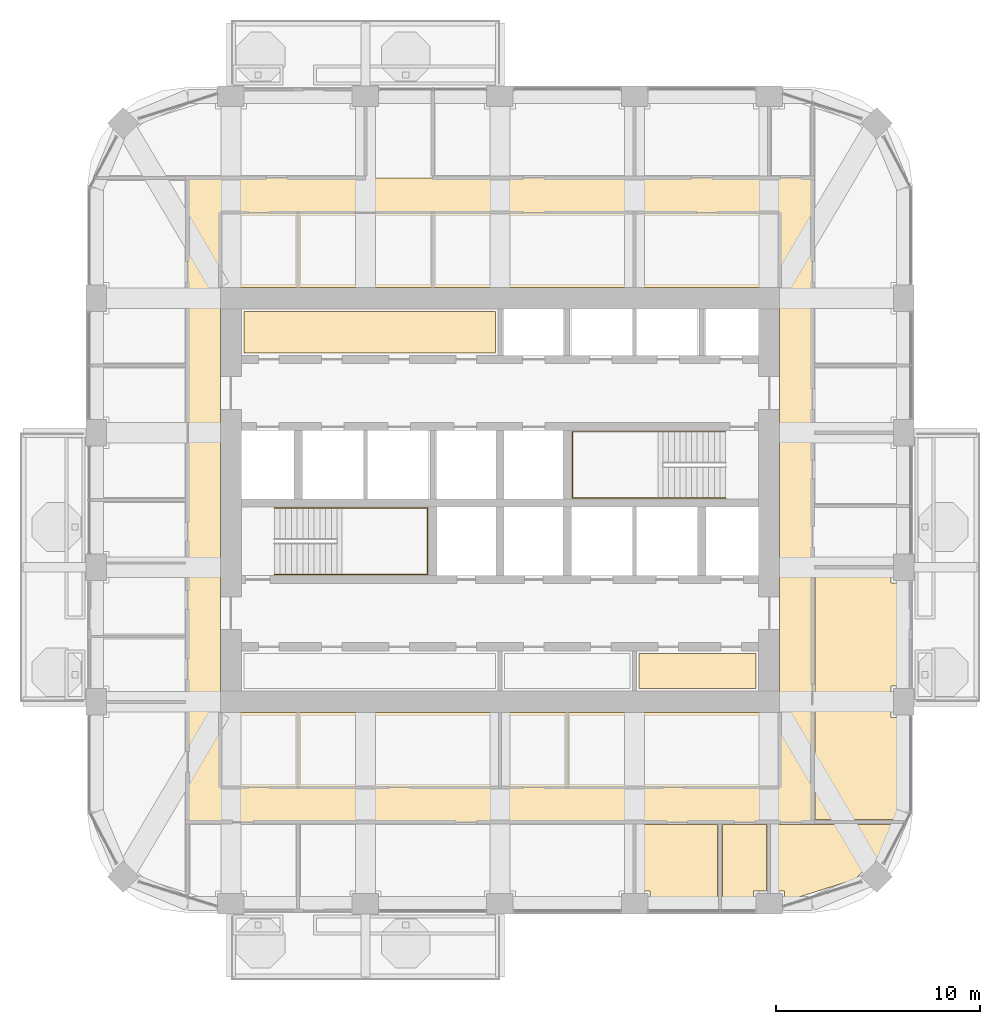
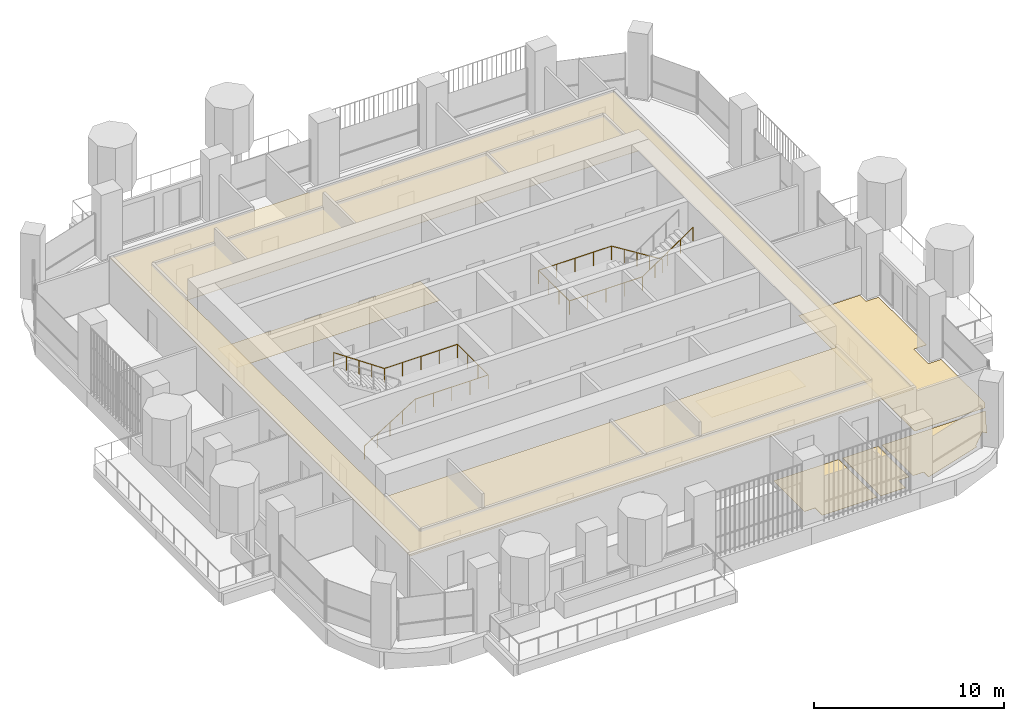
# One storey, part 17 of 19: 7 coverings, 2 railings.
"""IFC4 building model written with IfcOpenShell, lengths in metres."""

from ifc_helpers import new_model, si_unit, direction, frame, origin, place, context, subcontext, project, spatial, polyline, outline, extrude, material, layer, layer_set, type_object, element, save


model = new_model("IFC4")

# Units and contexts
model_context = context("Model", 3, precision=1e-05, world=origin(), true_north=direction((0.0, 1.0)))
body_context = subcontext(model_context, "Body", "Model", "MODEL_VIEW")
ifc_project = project(units=[si_unit("LENGTHUNIT", "METRE"), si_unit("AREAUNIT", "SQUARE_METRE"), si_unit("VOLUMEUNIT", "CUBIC_METRE"), si_unit("PLANEANGLEUNIT", "RADIAN"), si_unit("MASSUNIT", "GRAM", prefix="KILO")], contexts=[model_context])

# Site, building, storey
site_placement = place(None, origin())
site = spatial("IfcSite", under=ifc_project, at=site_placement, CompositionType="ELEMENT")
building_placement = place(site_placement, origin())
building = spatial("IfcBuilding", under=site, at=building_placement, Name="Cobogo Forest Laboratory Tower", CompositionType="ELEMENT")
storey_placement = place(building_placement, frame((0.0, 0.0, 237.60009765625)))
storey = spatial("IfcBuildingStorey", under=building, at=storey_placement, Name="L54", CompositionType="ELEMENT", Elevation=237.60009765625)

# Coverings
ifc_material_1 = material(Name="Mineral fibre ceiling tile", Category="ceiling")
ifc_layer_1 = layer(ifc_material_1, 0.02001953125)
ifc_layer_set_1 = layer_set([ifc_layer_1], Name="CL1 suspended ceiling")
covering_type_1 = type_object("IfcCoveringType", Name="CL1 suspended ceiling", PredefinedType="CEILING", material=ifc_layer_set_1)
covering_1_placement = place(storey_placement, frame((0.0, 0.0, 2.7998046875)))
element("IfcCovering", 1, at=covering_1_placement, inside=storey, type_object=covering_type_1, Name="Corridor ceiling L54", PredefinedType="CEILING", context=body_context, shape_type="SweptSolid", body=[
    extrude(outline(polyline([(11.074951171875, 7.300048828125), (11.074951171875, 38.89990234375), (41.72509765625, 38.89990234375), (41.72509765625, 7.300048828125), (11.074951171875, 7.300048828125)]), holes=[polyline([(40.125, 33.52490234375), (12.675048828125, 33.52490234375), (12.675048828125, 12.675048828125), (40.125, 12.675048828125), (40.125, 33.52490234375)])]), origin(), (0.0, 0.0, 1.0), 0.02001953125),
])
ifc_material_2 = material(Name="Carpet tile on raised access floor", Category="flooring")
ifc_layer_2 = layer(ifc_material_2, 0.008056640625)
ifc_layer_set_2 = layer_set([ifc_layer_2], Name="CT1 carpet tile floor 8")
covering_type_2 = type_object("IfcCoveringType", Name="CT1 carpet tile floor 8", PredefinedType="FLOORING", material=ifc_layer_set_2)
covering_2_placement = place(storey_placement, origin())
element("IfcCovering", 2, at=covering_2_placement, inside=storey, type_object=covering_type_2, Name="Carpet floor L54-11", PredefinedType="FLOORING", context=body_context, shape_type="SweptSolid", body=[
    extrude(outline(polyline([(37.080078125, 7.179931640625), (37.080078125, 3.14990234375), (33.77001953125, 3.14990234375), (33.77001953125, 3.919921875), (33.1201171875, 3.919921875), (33.1201171875, 7.179931640625), (37.080078125, 7.179931640625)])), origin(), (0.0, 0.0, 1.0), 0.0078125),
])
covering_3_placement = place(storey_placement, origin())
element("IfcCovering", 3, at=covering_3_placement, inside=storey, type_object=covering_type_2, Name="Carpet floor L54-13", PredefinedType="FLOORING", context=body_context, shape_type="SweptSolid", body=[
    extrude(outline(polyline([(44.00244140625, 4.550048828125), (40.3701171875, 3.40283203125), (40.3701171875, 3.919921875), (39.719970703125, 3.919921875), (39.719970703125, 7.179931640625), (45.999267578125, 7.179931640625), (45.059814453125, 5.387939453125), (44.882080078125, 5.5654296875), (43.9345703125, 4.617919921875), (44.00244140625, 4.550048828125)])), origin(), (0.0, 0.0, 1.0), 0.0078125),
])
covering_4_placement = place(storey_placement, origin())
element("IfcCovering", 4, at=covering_4_placement, inside=storey, type_object=covering_type_2, Name="Carpet floor L54-14", PredefinedType="FLOORING", context=body_context, shape_type="SweptSolid", body=[
    extrude(outline(polyline([(41.844970703125, 19.679931640625), (45.580078125, 19.679931640625), (45.580078125, 19.030029296875), (46.35009765625, 19.030029296875), (46.35009765625, 13.969970703125), (45.580078125, 13.969970703125), (45.580078125, 12.429931640625), (46.35009765625, 12.429931640625), (46.35009765625, 7.84912109375), (46.125, 7.419921875), (41.844970703125, 7.419921875), (41.844970703125, 19.679931640625)])), origin(), (0.0, 0.0, 1.0), 0.0078125),
])
covering_5_placement = place(storey_placement, origin())
element("IfcCovering", 5, at=covering_5_placement, inside=storey, type_object=covering_type_2, Name="Carpet floor L54-39", PredefinedType="FLOORING", context=body_context, shape_type="SweptSolid", body=[
    extrude(outline(polyline([(26.179931640625, 30.320068359375), (13.844970703125, 30.320068359375), (13.844970703125, 32.35498046875), (26.179931640625, 32.35498046875), (26.179931640625, 30.320068359375)])), origin(), (0.0, 0.0, 1.0), 0.0078125),
])

# Railings
ifc_material_3 = material(Name="Stainless steel handrail", Category="steel")
railing_type = type_object("IfcRailingType", Name="HR handrail 900", PredefinedType="HANDRAIL", material=ifc_material_3)
railing_1_placement = place(storey_placement, frame((15.324951171875, 19.449951171875, 0.1748046875)))
element("IfcRailing", 6, at=railing_1_placement, inside=storey, type_object=railing_type, Name="Stair handrail ST1 L54", PredefinedType="HANDRAIL", context=body_context, shape_type="SweptSolid", body=[
    extrude(outline(polyline([(0.022216796875, 0.00927734375), (0.00927734375, 0.022216796875), (-0.00927734375, 0.022216796875), (-0.022216796875, 0.00927734375), (-0.022216796875, -0.00927734375), (-0.00927734375, -0.022216796875), (0.00927734375, -0.022216796875), (0.022216796875, -0.00927734375), (0.022216796875, 0.00927734375)])), frame((0.0, 0.0, 0.877685546875), z_axis=(0.847998304005, 0.0, 0.529998940003), x_axis=(0.0, 1.0, 0.0)), (0.0, 0.0, 1.0), 3.632080078125),
    extrude(outline(polyline([(0.022216796875, 0.00927734375), (0.00927734375, 0.022216796875), (-0.00927734375, 0.022216796875), (-0.022216796875, 0.00927734375), (-0.022216796875, -0.00927734375), (-0.00927734375, -0.022216796875), (0.00927734375, -0.022216796875), (0.022216796875, -0.00927734375), (0.022216796875, 0.00927734375)])), frame((3.080078125, 0.0, 2.802734375), z_axis=(1.0, 0.0, 0.0), x_axis=(0.0, 1.0, 0.0)), (0.0, 0.0, 1.0), 4.445068359375),
    extrude(outline(polyline([(0.022216796875, 0.00927734375), (0.00927734375, 0.022216796875), (-0.00927734375, 0.022216796875), (-0.022216796875, 0.00927734375), (-0.022216796875, -0.00927734375), (-0.00927734375, -0.022216796875), (0.00927734375, -0.022216796875), (0.022216796875, -0.00927734375), (0.022216796875, 0.00927734375)])), frame((7.525146484375, 0.0, 2.802734375), z_axis=(0.0, 1.0, 0.0), x_axis=(-1.0, 0.0, 0.0)), (0.0, 0.0, 1.0), 3.25),
    extrude(outline(polyline([(0.022216796875, 0.00927734375), (0.00927734375, 0.022216796875), (-0.00927734375, 0.022216796875), (-0.022216796875, 0.00927734375), (-0.022216796875, -0.00927734375), (-0.00927734375, -0.022216796875), (0.00927734375, -0.022216796875), (0.022216796875, -0.00927734375), (0.022216796875, 0.00927734375)])), frame((7.525146484375, 3.25, 2.802734375), z_axis=(-1.0, 0.0, 0.0), x_axis=(0.0, -1.0, 0.0)), (0.0, 0.0, 1.0), 4.445068359375),
    extrude(outline(polyline([(0.022216796875, 0.00927734375), (0.00927734375, 0.022216796875), (-0.00927734375, 0.022216796875), (-0.022216796875, 0.00927734375), (-0.022216796875, -0.00927734375), (-0.00927734375, -0.022216796875), (0.00927734375, -0.022216796875), (0.022216796875, -0.00927734375), (0.022216796875, 0.00927734375)])), frame((3.080078125, 3.25, 2.802734375), z_axis=(-0.826221800596, 0.0, 0.563344953133), x_axis=(0.0, -1.0, 0.0)), (0.0, 0.0, 1.0), 3.72802734375),
    extrude(outline(polyline([(0.019287109375, 0.008056640625), (0.008056640625, 0.019287109375), (-0.008056640625, 0.019287109375), (-0.019287109375, 0.008056640625), (-0.019287109375, -0.008056640625), (-0.008056640625, -0.019287109375), (0.008056640625, -0.019287109375), (0.019287109375, -0.008056640625), (0.019287109375, 0.008056640625)])), origin(), (0.0, 0.0, 1.0), 0.877685546875),
    extrude(outline(polyline([(0.019287109375, 0.008056640625), (0.008056640625, 0.019287109375), (-0.008056640625, 0.019287109375), (-0.019287109375, 0.008056640625), (-0.019287109375, -0.008056640625), (-0.008056640625, -0.019287109375), (0.008056640625, -0.019287109375), (0.019287109375, -0.008056640625), (0.019287109375, 0.008056640625)])), frame((0.77001953125, 0.0, 0.481201171875)), (0.0, 0.0, 1.0), 0.877685546875),
    extrude(outline(polyline([(0.019287109375, 0.008056640625), (0.008056640625, 0.019287109375), (-0.008056640625, 0.019287109375), (-0.019287109375, 0.008056640625), (-0.019287109375, -0.008056640625), (-0.008056640625, -0.019287109375), (0.008056640625, -0.019287109375), (0.019287109375, -0.008056640625), (0.019287109375, 0.008056640625)])), frame((1.5400390625, 0.0, 0.96240234375)), (0.0, 0.0, 1.0), 0.877685546875),
    extrude(outline(polyline([(0.019287109375, 0.008056640625), (0.008056640625, 0.019287109375), (-0.008056640625, 0.019287109375), (-0.019287109375, 0.008056640625), (-0.019287109375, -0.008056640625), (-0.008056640625, -0.019287109375), (0.008056640625, -0.019287109375), (0.019287109375, -0.008056640625), (0.019287109375, 0.008056640625)])), frame((2.31005859375, 0.0, 1.44384765625)), (0.0, 0.0, 1.0), 0.877685546875),
    extrude(outline(polyline([(0.019287109375, 0.008056640625), (0.008056640625, 0.019287109375), (-0.008056640625, 0.019287109375), (-0.019287109375, 0.008056640625), (-0.019287109375, -0.008056640625), (-0.008056640625, -0.019287109375), (0.008056640625, -0.019287109375), (0.019287109375, -0.008056640625), (0.019287109375, 0.008056640625)])), frame((3.080078125, 0.0, 1.925048828125)), (0.0, 0.0, 1.0), 0.877685546875),
    extrude(outline(polyline([(0.019287109375, 0.008056640625), (0.008056640625, 0.019287109375), (-0.008056640625, 0.019287109375), (-0.019287109375, 0.008056640625), (-0.019287109375, -0.008056640625), (-0.008056640625, -0.019287109375), (0.008056640625, -0.019287109375), (0.019287109375, -0.008056640625), (0.019287109375, 0.008056640625)])), frame((4.19140625, 0.0, 1.925048828125)), (0.0, 0.0, 1.0), 0.877685546875),
    extrude(outline(polyline([(0.019287109375, 0.008056640625), (0.008056640625, 0.019287109375), (-0.008056640625, 0.019287109375), (-0.019287109375, 0.008056640625), (-0.019287109375, -0.008056640625), (-0.008056640625, -0.019287109375), (0.008056640625, -0.019287109375), (0.019287109375, -0.008056640625), (0.019287109375, 0.008056640625)])), frame((5.302734375, 0.0, 1.925048828125)), (0.0, 0.0, 1.0), 0.877685546875),
    extrude(outline(polyline([(0.019287109375, 0.008056640625), (0.008056640625, 0.019287109375), (-0.008056640625, 0.019287109375), (-0.019287109375, 0.008056640625), (-0.019287109375, -0.008056640625), (-0.008056640625, -0.019287109375), (0.008056640625, -0.019287109375), (0.019287109375, -0.008056640625), (0.019287109375, 0.008056640625)])), frame((6.413818359375, 0.0, 1.925048828125)), (0.0, 0.0, 1.0), 0.877685546875),
    extrude(outline(polyline([(0.019287109375, 0.008056640625), (0.008056640625, 0.019287109375), (-0.008056640625, 0.019287109375), (-0.019287109375, 0.008056640625), (-0.019287109375, -0.008056640625), (-0.008056640625, -0.019287109375), (0.008056640625, -0.019287109375), (0.019287109375, -0.008056640625), (0.019287109375, 0.008056640625)])), frame((7.525146484375, 0.0, 1.925048828125)), (0.0, 0.0, 1.0), 0.877685546875),
    extrude(outline(polyline([(0.019287109375, 0.008056640625), (0.008056640625, 0.019287109375), (-0.008056640625, 0.019287109375), (-0.019287109375, 0.008056640625), (-0.019287109375, -0.008056640625), (-0.008056640625, -0.019287109375), (0.008056640625, -0.019287109375), (0.019287109375, -0.008056640625), (0.019287109375, 0.008056640625)])), frame((7.525146484375, 1.083251953125, 1.925048828125)), (0.0, 0.0, 1.0), 0.877685546875),
    extrude(outline(polyline([(0.019287109375, 0.008056640625), (0.008056640625, 0.019287109375), (-0.008056640625, 0.019287109375), (-0.019287109375, 0.008056640625), (-0.019287109375, -0.008056640625), (-0.008056640625, -0.019287109375), (0.008056640625, -0.019287109375), (0.019287109375, -0.008056640625), (0.019287109375, 0.008056640625)])), frame((7.525146484375, 2.166748046875, 1.925048828125)), (0.0, 0.0, 1.0), 0.877685546875),
    extrude(outline(polyline([(0.019287109375, 0.008056640625), (0.008056640625, 0.019287109375), (-0.008056640625, 0.019287109375), (-0.019287109375, 0.008056640625), (-0.019287109375, -0.008056640625), (-0.008056640625, -0.019287109375), (0.008056640625, -0.019287109375), (0.019287109375, -0.008056640625), (0.019287109375, 0.008056640625)])), frame((7.525146484375, 3.25, 1.925048828125)), (0.0, 0.0, 1.0), 0.877685546875),
    extrude(outline(polyline([(0.019287109375, 0.008056640625), (0.008056640625, 0.019287109375), (-0.008056640625, 0.019287109375), (-0.019287109375, 0.008056640625), (-0.019287109375, -0.008056640625), (-0.008056640625, -0.019287109375), (0.008056640625, -0.019287109375), (0.019287109375, -0.008056640625), (0.019287109375, 0.008056640625)])), frame((6.413818359375, 3.25, 1.925048828125)), (0.0, 0.0, 1.0), 0.877685546875),
    extrude(outline(polyline([(0.019287109375, 0.008056640625), (0.008056640625, 0.019287109375), (-0.008056640625, 0.019287109375), (-0.019287109375, 0.008056640625), (-0.019287109375, -0.008056640625), (-0.008056640625, -0.019287109375), (0.008056640625, -0.019287109375), (0.019287109375, -0.008056640625), (0.019287109375, 0.008056640625)])), frame((5.302734375, 3.25, 1.925048828125)), (0.0, 0.0, 1.0), 0.877685546875),
    extrude(outline(polyline([(0.019287109375, 0.008056640625), (0.008056640625, 0.019287109375), (-0.008056640625, 0.019287109375), (-0.019287109375, 0.008056640625), (-0.019287109375, -0.008056640625), (-0.008056640625, -0.019287109375), (0.008056640625, -0.019287109375), (0.019287109375, -0.008056640625), (0.019287109375, 0.008056640625)])), frame((4.19140625, 3.25, 1.925048828125)), (0.0, 0.0, 1.0), 0.877685546875),
    extrude(outline(polyline([(0.019287109375, 0.008056640625), (0.008056640625, 0.019287109375), (-0.008056640625, 0.019287109375), (-0.019287109375, 0.008056640625), (-0.019287109375, -0.008056640625), (-0.008056640625, -0.019287109375), (0.008056640625, -0.019287109375), (0.019287109375, -0.008056640625), (0.019287109375, 0.008056640625)])), frame((3.080078125, 3.25, 1.925048828125)), (0.0, 0.0, 1.0), 0.877685546875),
    extrude(outline(polyline([(0.019287109375, 0.008056640625), (0.008056640625, 0.019287109375), (-0.008056640625, 0.019287109375), (-0.019287109375, 0.008056640625), (-0.019287109375, -0.008056640625), (-0.008056640625, -0.019287109375), (0.008056640625, -0.019287109375), (0.019287109375, -0.008056640625), (0.019287109375, 0.008056640625)])), frame((2.31005859375, 3.25, 2.4501953125)), (0.0, 0.0, 1.0), 0.877685546875),
    extrude(outline(polyline([(0.019287109375, 0.008056640625), (0.008056640625, 0.019287109375), (-0.008056640625, 0.019287109375), (-0.019287109375, 0.008056640625), (-0.019287109375, -0.008056640625), (-0.008056640625, -0.019287109375), (0.008056640625, -0.019287109375), (0.019287109375, -0.008056640625), (0.019287109375, 0.008056640625)])), frame((1.5400390625, 3.25, 2.97509765625)), (0.0, 0.0, 1.0), 0.877685546875),
    extrude(outline(polyline([(0.019287109375, 0.008056640625), (0.008056640625, 0.019287109375), (-0.008056640625, 0.019287109375), (-0.019287109375, 0.008056640625), (-0.019287109375, -0.008056640625), (-0.008056640625, -0.019287109375), (0.008056640625, -0.019287109375), (0.019287109375, -0.008056640625), (0.019287109375, 0.008056640625)])), frame((0.77001953125, 3.25, 3.5)), (0.0, 0.0, 1.0), 0.877685546875),
    extrude(outline(polyline([(0.019287109375, 0.008056640625), (0.008056640625, 0.019287109375), (-0.008056640625, 0.019287109375), (-0.019287109375, 0.008056640625), (-0.019287109375, -0.008056640625), (-0.008056640625, -0.019287109375), (0.008056640625, -0.019287109375), (0.019287109375, -0.008056640625), (0.019287109375, 0.008056640625)])), frame((0.0, 3.25, 4.025146484375)), (0.0, 0.0, 1.0), 0.877685546875),
])
railing_2_placement = place(storey_placement, frame((37.47509765625, 26.449951171875, 0.1748046875)))
element("IfcRailing", 7, at=railing_2_placement, inside=storey, type_object=railing_type, Name="Stair handrail ST2 L54", PredefinedType="HANDRAIL", context=body_context, shape_type="SweptSolid", body=[
    extrude(outline(polyline([(0.022216796875, 0.00927734375), (0.00927734375, 0.022216796875), (-0.00927734375, 0.022216796875), (-0.022216796875, 0.00927734375), (-0.022216796875, -0.00927734375), (-0.00927734375, -0.022216796875), (0.00927734375, -0.022216796875), (0.022216796875, -0.00927734375), (0.022216796875, 0.00927734375)])), frame((0.0, 0.0, 0.877685546875), z_axis=(-0.847998304005, 0.0, 0.529998940003), x_axis=(0.0, -1.0, 0.0)), (0.0, 0.0, 1.0), 3.632080078125),
    extrude(outline(polyline([(0.022216796875, 0.00927734375), (0.00927734375, 0.022216796875), (-0.00927734375, 0.022216796875), (-0.022216796875, 0.00927734375), (-0.022216796875, -0.00927734375), (-0.00927734375, -0.022216796875), (0.00927734375, -0.022216796875), (0.022216796875, -0.00927734375), (0.022216796875, 0.00927734375)])), frame((-3.080078125, 0.0, 2.802734375), z_axis=(-1.0, 0.0, 0.0), x_axis=(0.0, -1.0, 0.0)), (0.0, 0.0, 1.0), 4.445068359375),
    extrude(outline(polyline([(0.022216796875, 0.00927734375), (0.00927734375, 0.022216796875), (-0.00927734375, 0.022216796875), (-0.022216796875, 0.00927734375), (-0.022216796875, -0.00927734375), (-0.00927734375, -0.022216796875), (0.00927734375, -0.022216796875), (0.022216796875, -0.00927734375), (0.022216796875, 0.00927734375)])), frame((-7.525146484375, 0.0, 2.802734375), z_axis=(0.0, -1.0, 0.0), x_axis=(1.0, 0.0, 0.0)), (0.0, 0.0, 1.0), 3.25),
    extrude(outline(polyline([(0.022216796875, 0.00927734375), (0.00927734375, 0.022216796875), (-0.00927734375, 0.022216796875), (-0.022216796875, 0.00927734375), (-0.022216796875, -0.00927734375), (-0.00927734375, -0.022216796875), (0.00927734375, -0.022216796875), (0.022216796875, -0.00927734375), (0.022216796875, 0.00927734375)])), frame((-7.525146484375, -3.25, 2.802734375), z_axis=(1.0, 0.0, 0.0), x_axis=(0.0, 1.0, 0.0)), (0.0, 0.0, 1.0), 4.445068359375),
    extrude(outline(polyline([(0.022216796875, 0.00927734375), (0.00927734375, 0.022216796875), (-0.00927734375, 0.022216796875), (-0.022216796875, 0.00927734375), (-0.022216796875, -0.00927734375), (-0.00927734375, -0.022216796875), (0.00927734375, -0.022216796875), (0.022216796875, -0.00927734375), (0.022216796875, 0.00927734375)])), frame((-3.080078125, -3.25, 2.802734375), z_axis=(0.826221800596, 0.0, 0.563344953133), x_axis=(0.0, 1.0, 0.0)), (0.0, 0.0, 1.0), 3.72802734375),
    extrude(outline(polyline([(0.019287109375, 0.008056640625), (0.008056640625, 0.019287109375), (-0.008056640625, 0.019287109375), (-0.019287109375, 0.008056640625), (-0.019287109375, -0.008056640625), (-0.008056640625, -0.019287109375), (0.008056640625, -0.019287109375), (0.019287109375, -0.008056640625), (0.019287109375, 0.008056640625)])), origin(), (0.0, 0.0, 1.0), 0.877685546875),
    extrude(outline(polyline([(0.019287109375, 0.008056640625), (0.008056640625, 0.019287109375), (-0.008056640625, 0.019287109375), (-0.019287109375, 0.008056640625), (-0.019287109375, -0.008056640625), (-0.008056640625, -0.019287109375), (0.008056640625, -0.019287109375), (0.019287109375, -0.008056640625), (0.019287109375, 0.008056640625)])), frame((-0.77001953125, 0.0, 0.481201171875)), (0.0, 0.0, 1.0), 0.877685546875),
    extrude(outline(polyline([(0.019287109375, 0.008056640625), (0.008056640625, 0.019287109375), (-0.008056640625, 0.019287109375), (-0.019287109375, 0.008056640625), (-0.019287109375, -0.008056640625), (-0.008056640625, -0.019287109375), (0.008056640625, -0.019287109375), (0.019287109375, -0.008056640625), (0.019287109375, 0.008056640625)])), frame((-1.5400390625, 0.0, 0.96240234375)), (0.0, 0.0, 1.0), 0.877685546875),
    extrude(outline(polyline([(0.019287109375, 0.008056640625), (0.008056640625, 0.019287109375), (-0.008056640625, 0.019287109375), (-0.019287109375, 0.008056640625), (-0.019287109375, -0.008056640625), (-0.008056640625, -0.019287109375), (0.008056640625, -0.019287109375), (0.019287109375, -0.008056640625), (0.019287109375, 0.008056640625)])), frame((-2.31005859375, 0.0, 1.44384765625)), (0.0, 0.0, 1.0), 0.877685546875),
    extrude(outline(polyline([(0.019287109375, 0.008056640625), (0.008056640625, 0.019287109375), (-0.008056640625, 0.019287109375), (-0.019287109375, 0.008056640625), (-0.019287109375, -0.008056640625), (-0.008056640625, -0.019287109375), (0.008056640625, -0.019287109375), (0.019287109375, -0.008056640625), (0.019287109375, 0.008056640625)])), frame((-3.080078125, 0.0, 1.925048828125)), (0.0, 0.0, 1.0), 0.877685546875),
    extrude(outline(polyline([(0.019287109375, 0.008056640625), (0.008056640625, 0.019287109375), (-0.008056640625, 0.019287109375), (-0.019287109375, 0.008056640625), (-0.019287109375, -0.008056640625), (-0.008056640625, -0.019287109375), (0.008056640625, -0.019287109375), (0.019287109375, -0.008056640625), (0.019287109375, 0.008056640625)])), frame((-4.19140625, 0.0, 1.925048828125)), (0.0, 0.0, 1.0), 0.877685546875),
    extrude(outline(polyline([(0.019287109375, 0.008056640625), (0.008056640625, 0.019287109375), (-0.008056640625, 0.019287109375), (-0.019287109375, 0.008056640625), (-0.019287109375, -0.008056640625), (-0.008056640625, -0.019287109375), (0.008056640625, -0.019287109375), (0.019287109375, -0.008056640625), (0.019287109375, 0.008056640625)])), frame((-5.302734375, 0.0, 1.925048828125)), (0.0, 0.0, 1.0), 0.877685546875),
    extrude(outline(polyline([(0.019287109375, 0.008056640625), (0.008056640625, 0.019287109375), (-0.008056640625, 0.019287109375), (-0.019287109375, 0.008056640625), (-0.019287109375, -0.008056640625), (-0.008056640625, -0.019287109375), (0.008056640625, -0.019287109375), (0.019287109375, -0.008056640625), (0.019287109375, 0.008056640625)])), frame((-6.413818359375, 0.0, 1.925048828125)), (0.0, 0.0, 1.0), 0.877685546875),
    extrude(outline(polyline([(0.019287109375, 0.008056640625), (0.008056640625, 0.019287109375), (-0.008056640625, 0.019287109375), (-0.019287109375, 0.008056640625), (-0.019287109375, -0.008056640625), (-0.008056640625, -0.019287109375), (0.008056640625, -0.019287109375), (0.019287109375, -0.008056640625), (0.019287109375, 0.008056640625)])), frame((-7.525146484375, 0.0, 1.925048828125)), (0.0, 0.0, 1.0), 0.877685546875),
    extrude(outline(polyline([(0.019287109375, 0.008056640625), (0.008056640625, 0.019287109375), (-0.008056640625, 0.019287109375), (-0.019287109375, 0.008056640625), (-0.019287109375, -0.008056640625), (-0.008056640625, -0.019287109375), (0.008056640625, -0.019287109375), (0.019287109375, -0.008056640625), (0.019287109375, 0.008056640625)])), frame((-7.525146484375, -1.083251953125, 1.925048828125)), (0.0, 0.0, 1.0), 0.877685546875),
    extrude(outline(polyline([(0.019287109375, 0.008056640625), (0.008056640625, 0.019287109375), (-0.008056640625, 0.019287109375), (-0.019287109375, 0.008056640625), (-0.019287109375, -0.008056640625), (-0.008056640625, -0.019287109375), (0.008056640625, -0.019287109375), (0.019287109375, -0.008056640625), (0.019287109375, 0.008056640625)])), frame((-7.525146484375, -2.166748046875, 1.925048828125)), (0.0, 0.0, 1.0), 0.877685546875),
    extrude(outline(polyline([(0.019287109375, 0.008056640625), (0.008056640625, 0.019287109375), (-0.008056640625, 0.019287109375), (-0.019287109375, 0.008056640625), (-0.019287109375, -0.008056640625), (-0.008056640625, -0.019287109375), (0.008056640625, -0.019287109375), (0.019287109375, -0.008056640625), (0.019287109375, 0.008056640625)])), frame((-7.525146484375, -3.25, 1.925048828125)), (0.0, 0.0, 1.0), 0.877685546875),
    extrude(outline(polyline([(0.019287109375, 0.008056640625), (0.008056640625, 0.019287109375), (-0.008056640625, 0.019287109375), (-0.019287109375, 0.008056640625), (-0.019287109375, -0.008056640625), (-0.008056640625, -0.019287109375), (0.008056640625, -0.019287109375), (0.019287109375, -0.008056640625), (0.019287109375, 0.008056640625)])), frame((-6.413818359375, -3.25, 1.925048828125)), (0.0, 0.0, 1.0), 0.877685546875),
    extrude(outline(polyline([(0.019287109375, 0.008056640625), (0.008056640625, 0.019287109375), (-0.008056640625, 0.019287109375), (-0.019287109375, 0.008056640625), (-0.019287109375, -0.008056640625), (-0.008056640625, -0.019287109375), (0.008056640625, -0.019287109375), (0.019287109375, -0.008056640625), (0.019287109375, 0.008056640625)])), frame((-5.302734375, -3.25, 1.925048828125)), (0.0, 0.0, 1.0), 0.877685546875),
    extrude(outline(polyline([(0.019287109375, 0.008056640625), (0.008056640625, 0.019287109375), (-0.008056640625, 0.019287109375), (-0.019287109375, 0.008056640625), (-0.019287109375, -0.008056640625), (-0.008056640625, -0.019287109375), (0.008056640625, -0.019287109375), (0.019287109375, -0.008056640625), (0.019287109375, 0.008056640625)])), frame((-4.19140625, -3.25, 1.925048828125)), (0.0, 0.0, 1.0), 0.877685546875),
    extrude(outline(polyline([(0.019287109375, 0.008056640625), (0.008056640625, 0.019287109375), (-0.008056640625, 0.019287109375), (-0.019287109375, 0.008056640625), (-0.019287109375, -0.008056640625), (-0.008056640625, -0.019287109375), (0.008056640625, -0.019287109375), (0.019287109375, -0.008056640625), (0.019287109375, 0.008056640625)])), frame((-3.080078125, -3.25, 1.925048828125)), (0.0, 0.0, 1.0), 0.877685546875),
    extrude(outline(polyline([(0.019287109375, 0.008056640625), (0.008056640625, 0.019287109375), (-0.008056640625, 0.019287109375), (-0.019287109375, 0.008056640625), (-0.019287109375, -0.008056640625), (-0.008056640625, -0.019287109375), (0.008056640625, -0.019287109375), (0.019287109375, -0.008056640625), (0.019287109375, 0.008056640625)])), frame((-2.31005859375, -3.25, 2.4501953125)), (0.0, 0.0, 1.0), 0.877685546875),
    extrude(outline(polyline([(0.019287109375, 0.008056640625), (0.008056640625, 0.019287109375), (-0.008056640625, 0.019287109375), (-0.019287109375, 0.008056640625), (-0.019287109375, -0.008056640625), (-0.008056640625, -0.019287109375), (0.008056640625, -0.019287109375), (0.019287109375, -0.008056640625), (0.019287109375, 0.008056640625)])), frame((-1.5400390625, -3.25, 2.97509765625)), (0.0, 0.0, 1.0), 0.877685546875),
    extrude(outline(polyline([(0.019287109375, 0.008056640625), (0.008056640625, 0.019287109375), (-0.008056640625, 0.019287109375), (-0.019287109375, 0.008056640625), (-0.019287109375, -0.008056640625), (-0.008056640625, -0.019287109375), (0.008056640625, -0.019287109375), (0.019287109375, -0.008056640625), (0.019287109375, 0.008056640625)])), frame((-0.77001953125, -3.25, 3.5)), (0.0, 0.0, 1.0), 0.877685546875),
    extrude(outline(polyline([(0.019287109375, 0.008056640625), (0.008056640625, 0.019287109375), (-0.008056640625, 0.019287109375), (-0.019287109375, 0.008056640625), (-0.019287109375, -0.008056640625), (-0.008056640625, -0.019287109375), (0.008056640625, -0.019287109375), (0.019287109375, -0.008056640625), (0.019287109375, 0.008056640625)])), frame((0.0, -3.25, 4.025146484375)), (0.0, 0.0, 1.0), 0.877685546875),
])

# Coverings
ifc_material_4 = material(Name="Ceramic floor tile", Category="flooring")
ifc_layer_3 = layer(ifc_material_4, 0.010009765625)
ifc_layer_set_3 = layer_set([ifc_layer_3], Name="TF1 ceramic tile floor 10")
covering_type_3 = type_object("IfcCoveringType", Name="TF1 ceramic tile floor 10", PredefinedType="FLOORING", material=ifc_layer_set_3)
covering_6_placement = place(storey_placement, origin())
element("IfcCovering", 8, at=covering_6_placement, inside=storey, type_object=covering_type_3, Name="Tile floor L54-12", PredefinedType="FLOORING", context=body_context, shape_type="SweptSolid", body=[
    extrude(outline(polyline([(39.47998046875, 7.179931640625), (39.47998046875, 3.919921875), (38.830078125, 3.919921875), (38.830078125, 3.14990234375), (37.320068359375, 3.14990234375), (37.320068359375, 7.179931640625), (39.47998046875, 7.179931640625)])), origin(), (0.0, 0.0, 1.0), 0.010009765625),
])
covering_7_placement = place(storey_placement, origin())
element("IfcCovering", 9, at=covering_7_placement, inside=storey, type_object=covering_type_3, Name="Tile floor L54-38", PredefinedType="FLOORING", context=body_context, shape_type="SweptSolid", body=[
    extrude(outline(polyline([(38.955078125, 13.844970703125), (33.219970703125, 13.844970703125), (33.219970703125, 15.580078125), (38.955078125, 15.580078125), (38.955078125, 13.844970703125)])), origin(), (0.0, 0.0, 1.0), 0.010009765625),
])

save(model, "model.ifc")
